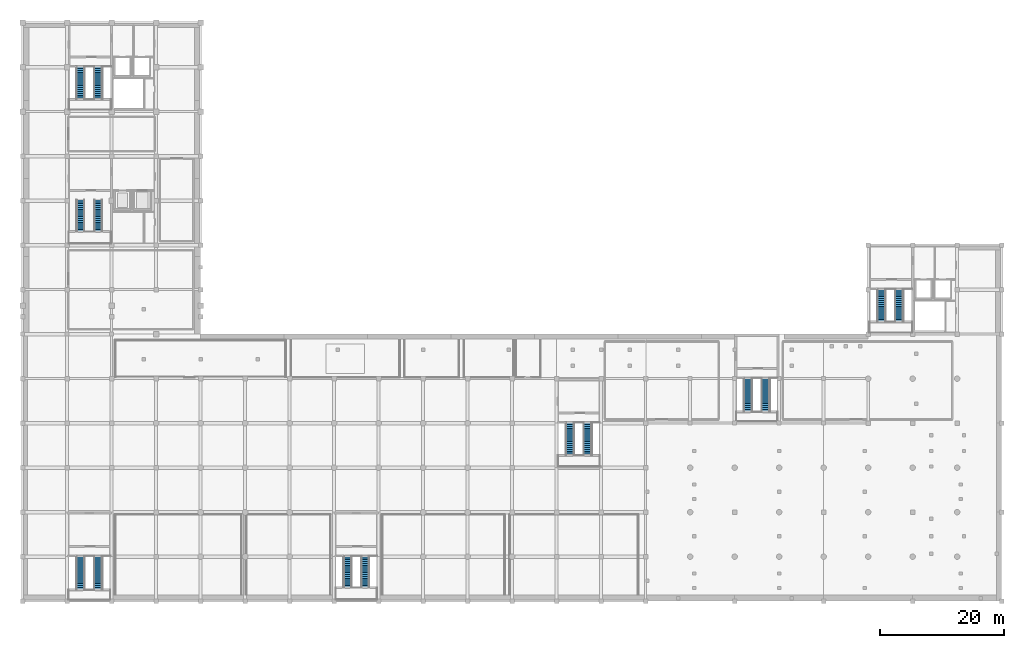
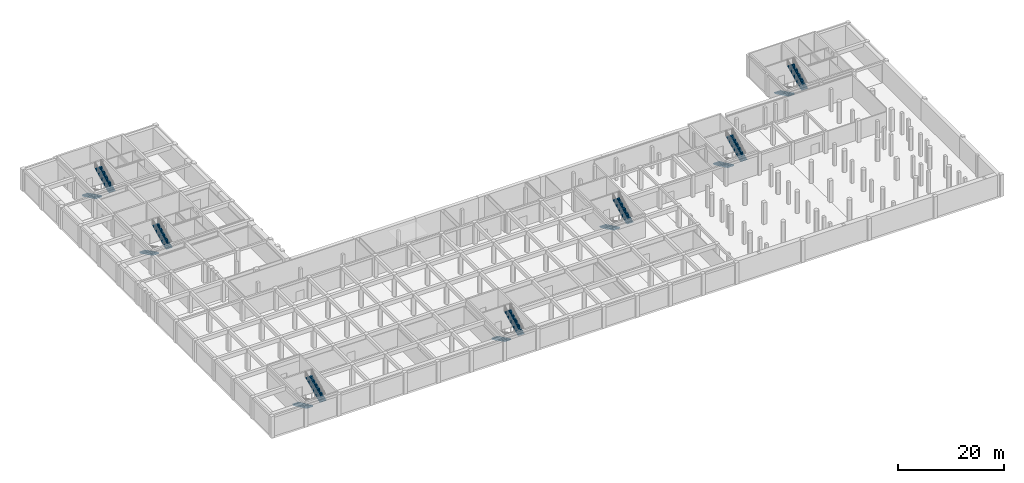
# One storey, part 10 of 15: 14 stair flights, 7 elements without a shape of their own.
"""IFC4 building model written with IfcOpenShell, lengths in metres."""

from ifc_helpers import new_model, si_unit, direction, frame, origin, place, context, subcontext, project, spatial, polyline, outline, extrude, material, layer, layer_set, type_object, element, aggregate, save


model = new_model("IFC4")

# Units and contexts
model_context = context("Model", 3, precision=1e-05, world=origin(), true_north=direction((0.0, 1.0)))
body_context = subcontext(model_context, "Body", "Model", "MODEL_VIEW")
ifc_project = project(units=[si_unit("LENGTHUNIT", "METRE"), si_unit("AREAUNIT", "SQUARE_METRE"), si_unit("VOLUMEUNIT", "CUBIC_METRE"), si_unit("PLANEANGLEUNIT", "RADIAN"), si_unit("MASSUNIT", "GRAM", prefix="KILO")], contexts=[model_context])

# Site, building, storey
site_placement = place(None, origin())
site = spatial("IfcSite", under=ifc_project, at=site_placement, CompositionType="ELEMENT")
building_placement = place(site_placement, origin())
building = spatial("IfcBuilding", under=site, at=building_placement, Name="Leyfeld Transit Interchange", CompositionType="ELEMENT")
storey_placement = place(building_placement, frame((0.0, 0.0, -5.39990234375)))
storey = spatial("IfcBuildingStorey", under=building, at=storey_placement, Name="B01", CompositionType="ELEMENT", Elevation=-5.39990234375)

# Stair, stair flights
ifc_material = material(Name="Precast concrete C40/50", Category="concrete")
stair_type_1 = type_object("IfcStairType", Name="STR-HT-150x300", PredefinedType="HALF_TURN_STAIR", material=ifc_material)
stair_1_placement = place(storey_placement, origin())
stair_1 = element("IfcStair", 1, at=stair_1_placement, inside=storey, type_object=stair_type_1, Name="Exit Stair ST-03 (B01 to L00)", PredefinedType="HALF_TURN_STAIR")
ifc_layer_1 = layer(ifc_material, 0.199951171875, Name="Precast concrete C40/50")
ifc_layer_set_1 = layer_set([ifc_layer_1], Name="Precast concrete C40/50")
stair_flight_type_1 = type_object("IfcStairFlightType", Name="FLT-1350", PredefinedType="STRAIGHT", material=ifc_layer_set_1)
stair_flight_1_placement = place(storey_placement, frame((9.35009765625, 79.300048828125, 0.0), z_axis=(0.0, 0.0, 1.0), x_axis=(0.0, -1.0, 0.0)))
stair_flight_1 = element("IfcStairFlight", 2, at=stair_flight_1_placement, type_object=stair_flight_type_1, Name="Stair ST-03 B01 Flight 1", NumberOfRisers=18, NumberOfTreads=17, PredefinedType="STRAIGHT", RiserHeight=0.15, TreadLength=0.3, context=body_context, shape_type="SweptSolid", body=[
    extrude(outline(polyline([(0.0, 0.0), (0.0, 0.14990234375), (0.300048828125, 0.14990234375), (0.300048828125, 0.300048828125), (0.60009765625, 0.300048828125), (0.60009765625, 0.449951171875), (0.89990234375, 0.449951171875), (0.89990234375, 0.60009765625), (1.199951171875, 0.60009765625), (1.199951171875, 0.75), (1.5, 0.75), (1.5, 0.89990234375), (1.800048828125, 0.89990234375), (1.800048828125, 1.050048828125), (2.10009765625, 1.050048828125), (2.10009765625, 1.199951171875), (2.39990234375, 1.199951171875), (2.39990234375, 1.35009765625), (2.699951171875, 1.35009765625), (2.699951171875, 1.5), (3.0, 1.5), (3.0, 1.64990234375), (3.300048828125, 1.64990234375), (3.300048828125, 1.800048828125), (3.60009765625, 1.800048828125), (3.60009765625, 1.949951171875), (3.89990234375, 1.949951171875), (3.89990234375, 2.10009765625), (4.199951171875, 2.10009765625), (4.199951171875, 2.25), (4.5, 2.25), (4.5, 2.39990234375), (4.800048828125, 2.39990234375), (4.800048828125, 2.550048828125), (5.10009765625, 2.550048828125), (5.10009765625, 2.699951171875), (5.10009765625, 2.326416015625), (0.447021484375, 0.0), (0.0, 0.0)])), frame((0.0, 0.675048828125, 0.0), z_axis=(0.0, -1.0, 0.0), x_axis=(1.0, 0.0, 0.0)), (0.0, 0.0, 1.0), 1.35009765625),
])
stair_flight_2_placement = place(storey_placement, frame((12.25, 74.199951171875, 2.699951171875), z_axis=(0.0, 0.0, 1.0), x_axis=(0.0, 1.0, 0.0)))
stair_flight_2 = element("IfcStairFlight", 3, at=stair_flight_2_placement, type_object=stair_flight_type_1, Name="Stair ST-03 B01 Flight 2", NumberOfRisers=18, NumberOfTreads=17, PredefinedType="STRAIGHT", RiserHeight=0.15, TreadLength=0.3, context=body_context, shape_type="SweptSolid", body=[
    extrude(outline(polyline([(0.0, 0.0), (0.0, 0.14990234375), (0.300048828125, 0.14990234375), (0.300048828125, 0.300048828125), (0.60009765625, 0.300048828125), (0.60009765625, 0.449951171875), (0.89990234375, 0.449951171875), (0.89990234375, 0.60009765625), (1.199951171875, 0.60009765625), (1.199951171875, 0.75), (1.5, 0.75), (1.5, 0.89990234375), (1.800048828125, 0.89990234375), (1.800048828125, 1.050048828125), (2.10009765625, 1.050048828125), (2.10009765625, 1.199951171875), (2.39990234375, 1.199951171875), (2.39990234375, 1.35009765625), (2.699951171875, 1.35009765625), (2.699951171875, 1.5), (3.0, 1.5), (3.0, 1.64990234375), (3.300048828125, 1.64990234375), (3.300048828125, 1.800048828125), (3.60009765625, 1.800048828125), (3.60009765625, 1.949951171875), (3.89990234375, 1.949951171875), (3.89990234375, 2.10009765625), (4.199951171875, 2.10009765625), (4.199951171875, 2.25), (4.5, 2.25), (4.5, 2.39990234375), (4.800048828125, 2.39990234375), (4.800048828125, 2.550048828125), (5.10009765625, 2.550048828125), (5.10009765625, 2.699951171875), (5.10009765625, 2.326416015625), (0.447021484375, 0.0), (0.0, 0.0)])), frame((0.0, 0.675048828125, 0.0), z_axis=(0.0, -1.0, 0.0), x_axis=(1.0, 0.0, 0.0)), (0.0, 0.0, 1.0), 1.35009765625),
])
aggregate(stair_1, [stair_flight_1, stair_flight_2])

stair_2_placement = place(storey_placement, origin())
stair_2 = element("IfcStair", 4, at=stair_2_placement, inside=storey, type_object=stair_type_1, Name="Exit Stair ST-08 (B01 to L00)", PredefinedType="HALF_TURN_STAIR")
stair_flight_3_placement = place(storey_placement, frame((52.550048828125, 21.699951171875, 0.0), z_axis=(0.0, 0.0, 1.0), x_axis=(0.0, -1.0, 0.0)))
stair_flight_3 = element("IfcStairFlight", 5, at=stair_flight_3_placement, type_object=stair_flight_type_1, Name="Stair ST-08 B01 Flight 1", NumberOfRisers=18, NumberOfTreads=17, PredefinedType="STRAIGHT", RiserHeight=0.15, TreadLength=0.3, context=body_context, shape_type="SweptSolid", body=[
    extrude(outline(polyline([(0.0, 0.0), (0.0, 0.14990234375), (0.300048828125, 0.14990234375), (0.300048828125, 0.300048828125), (0.60009765625, 0.300048828125), (0.60009765625, 0.449951171875), (0.89990234375, 0.449951171875), (0.89990234375, 0.60009765625), (1.199951171875, 0.60009765625), (1.199951171875, 0.75), (1.5, 0.75), (1.5, 0.89990234375), (1.800048828125, 0.89990234375), (1.800048828125, 1.050048828125), (2.10009765625, 1.050048828125), (2.10009765625, 1.199951171875), (2.39990234375, 1.199951171875), (2.39990234375, 1.35009765625), (2.699951171875, 1.35009765625), (2.699951171875, 1.5), (3.0, 1.5), (3.0, 1.64990234375), (3.300048828125, 1.64990234375), (3.300048828125, 1.800048828125), (3.60009765625, 1.800048828125), (3.60009765625, 1.949951171875), (3.89990234375, 1.949951171875), (3.89990234375, 2.10009765625), (4.199951171875, 2.10009765625), (4.199951171875, 2.25), (4.5, 2.25), (4.5, 2.39990234375), (4.800048828125, 2.39990234375), (4.800048828125, 2.550048828125), (5.10009765625, 2.550048828125), (5.10009765625, 2.699951171875), (5.10009765625, 2.326416015625), (0.447021484375, 0.0), (0.0, 0.0)])), frame((0.0, 0.675048828125, 0.0), z_axis=(0.0, -1.0, 0.0), x_axis=(1.0, 0.0, 0.0)), (0.0, 0.0, 1.0), 1.35009765625),
])
stair_flight_4_placement = place(storey_placement, frame((55.449951171875, 16.60009765625, 2.699951171875), z_axis=(0.0, 0.0, 1.0), x_axis=(0.0, 1.0, 0.0)))
stair_flight_4 = element("IfcStairFlight", 6, at=stair_flight_4_placement, type_object=stair_flight_type_1, Name="Stair ST-08 B01 Flight 2", NumberOfRisers=18, NumberOfTreads=17, PredefinedType="STRAIGHT", RiserHeight=0.15, TreadLength=0.3, context=body_context, shape_type="SweptSolid", body=[
    extrude(outline(polyline([(0.0, 0.0), (0.0, 0.14990234375), (0.300048828125, 0.14990234375), (0.300048828125, 0.300048828125), (0.60009765625, 0.300048828125), (0.60009765625, 0.449951171875), (0.89990234375, 0.449951171875), (0.89990234375, 0.60009765625), (1.199951171875, 0.60009765625), (1.199951171875, 0.75), (1.5, 0.75), (1.5, 0.89990234375), (1.800048828125, 0.89990234375), (1.800048828125, 1.050048828125), (2.10009765625, 1.050048828125), (2.10009765625, 1.199951171875), (2.39990234375, 1.199951171875), (2.39990234375, 1.35009765625), (2.699951171875, 1.35009765625), (2.699951171875, 1.5), (3.0, 1.5), (3.0, 1.64990234375), (3.300048828125, 1.64990234375), (3.300048828125, 1.800048828125), (3.60009765625, 1.800048828125), (3.60009765625, 1.949951171875), (3.89990234375, 1.949951171875), (3.89990234375, 2.10009765625), (4.199951171875, 2.10009765625), (4.199951171875, 2.25), (4.5, 2.25), (4.5, 2.39990234375), (4.800048828125, 2.39990234375), (4.800048828125, 2.550048828125), (5.10009765625, 2.550048828125), (5.10009765625, 2.699951171875), (5.10009765625, 2.326416015625), (0.447021484375, 0.0), (0.0, 0.0)])), frame((0.0, 0.675048828125, 0.0), z_axis=(0.0, -1.0, 0.0), x_axis=(1.0, 0.0, 0.0)), (0.0, 0.0, 1.0), 1.35009765625),
])
aggregate(stair_2, [stair_flight_3, stair_flight_4])

stair_type_2 = type_object("IfcStairType", Name="STR-HT-150x310", PredefinedType="HALF_TURN_STAIR", material=ifc_material)
stair_3_placement = place(storey_placement, origin())
stair_3 = element("IfcStair", 7, at=stair_3_placement, inside=storey, type_object=stair_type_2, Name="Exit Stair ST-01 (B01 to L00)", PredefinedType="HALF_TURN_STAIR")
ifc_layer_2 = layer(ifc_material, 0.199951171875, Name="Precast concrete C40/50")
ifc_layer_set_2 = layer_set([ifc_layer_2], Name="Precast concrete C40/50")
stair_flight_type_2 = type_object("IfcStairFlightType", Name="FLT-1400", PredefinedType="STRAIGHT", material=ifc_layer_set_2)
stair_flight_5_placement = place(storey_placement, frame((9.35009765625, 100.89990234375, 0.0), z_axis=(0.0, 0.0, 1.0), x_axis=(0.0, -1.0, 0.0)))
stair_flight_5 = element("IfcStairFlight", 8, at=stair_flight_5_placement, type_object=stair_flight_type_2, Name="Stair ST-01 B01 Flight 1", NumberOfRisers=18, NumberOfTreads=17, PredefinedType="STRAIGHT", RiserHeight=0.15, TreadLength=0.31, context=body_context, shape_type="SweptSolid", body=[
    extrude(outline(polyline([(0.0, 0.0), (0.0, 0.14990234375), (0.31005859375, 0.14990234375), (0.31005859375, 0.300048828125), (0.6201171875, 0.300048828125), (0.6201171875, 0.449951171875), (0.929931640625, 0.449951171875), (0.929931640625, 0.60009765625), (1.239990234375, 0.60009765625), (1.239990234375, 0.75), (1.550048828125, 0.75), (1.550048828125, 0.89990234375), (1.860107421875, 0.89990234375), (1.860107421875, 1.050048828125), (2.169921875, 1.050048828125), (2.169921875, 1.199951171875), (2.47998046875, 1.199951171875), (2.47998046875, 1.35009765625), (2.7900390625, 1.35009765625), (2.7900390625, 1.5), (3.10009765625, 1.5), (3.10009765625, 1.64990234375), (3.409912109375, 1.64990234375), (3.409912109375, 1.800048828125), (3.719970703125, 1.800048828125), (3.719970703125, 1.949951171875), (4.030029296875, 1.949951171875), (4.030029296875, 2.10009765625), (4.340087890625, 2.10009765625), (4.340087890625, 2.25), (4.64990234375, 2.25), (4.64990234375, 2.39990234375), (4.9599609375, 2.39990234375), (4.9599609375, 2.550048828125), (5.27001953125, 2.550048828125), (5.27001953125, 2.699951171875), (5.27001953125, 2.327880859375), (0.458984375, 0.0), (0.0, 0.0)])), frame((0.0, 0.699951171875, 0.0), z_axis=(0.0, -1.0, 0.0), x_axis=(1.0, 0.0, 0.0)), (0.0, 0.0, 1.0), 1.39990234375),
])
stair_flight_6_placement = place(storey_placement, frame((12.25, 95.6298828125, 2.699951171875), z_axis=(0.0, 0.0, 1.0), x_axis=(0.0, 1.0, 0.0)))
stair_flight_6 = element("IfcStairFlight", 9, at=stair_flight_6_placement, type_object=stair_flight_type_2, Name="Stair ST-01 B01 Flight 2", NumberOfRisers=18, NumberOfTreads=17, PredefinedType="STRAIGHT", RiserHeight=0.15, TreadLength=0.31, context=body_context, shape_type="SweptSolid", body=[
    extrude(outline(polyline([(0.0, 0.0), (0.0, 0.14990234375), (0.31005859375, 0.14990234375), (0.31005859375, 0.300048828125), (0.6201171875, 0.300048828125), (0.6201171875, 0.449951171875), (0.929931640625, 0.449951171875), (0.929931640625, 0.60009765625), (1.239990234375, 0.60009765625), (1.239990234375, 0.75), (1.550048828125, 0.75), (1.550048828125, 0.89990234375), (1.860107421875, 0.89990234375), (1.860107421875, 1.050048828125), (2.169921875, 1.050048828125), (2.169921875, 1.199951171875), (2.47998046875, 1.199951171875), (2.47998046875, 1.35009765625), (2.7900390625, 1.35009765625), (2.7900390625, 1.5), (3.10009765625, 1.5), (3.10009765625, 1.64990234375), (3.409912109375, 1.64990234375), (3.409912109375, 1.800048828125), (3.719970703125, 1.800048828125), (3.719970703125, 1.949951171875), (4.030029296875, 1.949951171875), (4.030029296875, 2.10009765625), (4.340087890625, 2.10009765625), (4.340087890625, 2.25), (4.64990234375, 2.25), (4.64990234375, 2.39990234375), (4.9599609375, 2.39990234375), (4.9599609375, 2.550048828125), (5.27001953125, 2.550048828125), (5.27001953125, 2.699951171875), (5.27001953125, 2.327880859375), (0.458984375, 0.0), (0.0, 0.0)])), frame((0.0, 0.699951171875, 0.0), z_axis=(0.0, -1.0, 0.0), x_axis=(1.0, 0.0, 0.0)), (0.0, 0.0, 1.0), 1.39990234375),
])
aggregate(stair_3, [stair_flight_5, stair_flight_6])

stair_4_placement = place(storey_placement, origin())
stair_4 = element("IfcStair", 10, at=stair_4_placement, inside=storey, type_object=stair_type_2, Name="Exit Stair ST-04 (B01 to L00)", PredefinedType="HALF_TURN_STAIR")
stair_flight_7_placement = place(storey_placement, frame((138.949951171875, 64.89990234375, 0.0), z_axis=(0.0, 0.0, 1.0), x_axis=(0.0, -1.0, 0.0)))
stair_flight_7 = element("IfcStairFlight", 11, at=stair_flight_7_placement, type_object=stair_flight_type_2, Name="Stair ST-04 B01 Flight 1", NumberOfRisers=18, NumberOfTreads=17, PredefinedType="STRAIGHT", RiserHeight=0.15, TreadLength=0.31, context=body_context, shape_type="SweptSolid", body=[
    extrude(outline(polyline([(0.0, 0.0), (0.0, 0.14990234375), (0.31005859375, 0.14990234375), (0.31005859375, 0.300048828125), (0.6201171875, 0.300048828125), (0.6201171875, 0.449951171875), (0.929931640625, 0.449951171875), (0.929931640625, 0.60009765625), (1.239990234375, 0.60009765625), (1.239990234375, 0.75), (1.550048828125, 0.75), (1.550048828125, 0.89990234375), (1.860107421875, 0.89990234375), (1.860107421875, 1.050048828125), (2.169921875, 1.050048828125), (2.169921875, 1.199951171875), (2.47998046875, 1.199951171875), (2.47998046875, 1.35009765625), (2.7900390625, 1.35009765625), (2.7900390625, 1.5), (3.10009765625, 1.5), (3.10009765625, 1.64990234375), (3.409912109375, 1.64990234375), (3.409912109375, 1.800048828125), (3.719970703125, 1.800048828125), (3.719970703125, 1.949951171875), (4.030029296875, 1.949951171875), (4.030029296875, 2.10009765625), (4.340087890625, 2.10009765625), (4.340087890625, 2.25), (4.64990234375, 2.25), (4.64990234375, 2.39990234375), (4.9599609375, 2.39990234375), (4.9599609375, 2.550048828125), (5.27001953125, 2.550048828125), (5.27001953125, 2.699951171875), (5.27001953125, 2.327880859375), (0.458984375, 0.0), (0.0, 0.0)])), frame((0.0, 0.699951171875, 0.0), z_axis=(0.0, -1.0, 0.0), x_axis=(1.0, 0.0, 0.0)), (0.0, 0.0, 1.0), 1.39990234375),
])
stair_flight_8_placement = place(storey_placement, frame((141.85009765625, 59.6298828125, 2.699951171875), z_axis=(0.0, 0.0, 1.0), x_axis=(0.0, 1.0, 0.0)))
stair_flight_8 = element("IfcStairFlight", 12, at=stair_flight_8_placement, type_object=stair_flight_type_2, Name="Stair ST-04 B01 Flight 2", NumberOfRisers=18, NumberOfTreads=17, PredefinedType="STRAIGHT", RiserHeight=0.15, TreadLength=0.31, context=body_context, shape_type="SweptSolid", body=[
    extrude(outline(polyline([(0.0, 0.0), (0.0, 0.14990234375), (0.31005859375, 0.14990234375), (0.31005859375, 0.300048828125), (0.6201171875, 0.300048828125), (0.6201171875, 0.449951171875), (0.929931640625, 0.449951171875), (0.929931640625, 0.60009765625), (1.239990234375, 0.60009765625), (1.239990234375, 0.75), (1.550048828125, 0.75), (1.550048828125, 0.89990234375), (1.860107421875, 0.89990234375), (1.860107421875, 1.050048828125), (2.169921875, 1.050048828125), (2.169921875, 1.199951171875), (2.47998046875, 1.199951171875), (2.47998046875, 1.35009765625), (2.7900390625, 1.35009765625), (2.7900390625, 1.5), (3.10009765625, 1.5), (3.10009765625, 1.64990234375), (3.409912109375, 1.64990234375), (3.409912109375, 1.800048828125), (3.719970703125, 1.800048828125), (3.719970703125, 1.949951171875), (4.030029296875, 1.949951171875), (4.030029296875, 2.10009765625), (4.340087890625, 2.10009765625), (4.340087890625, 2.25), (4.64990234375, 2.25), (4.64990234375, 2.39990234375), (4.9599609375, 2.39990234375), (4.9599609375, 2.550048828125), (5.27001953125, 2.550048828125), (5.27001953125, 2.699951171875), (5.27001953125, 2.327880859375), (0.458984375, 0.0), (0.0, 0.0)])), frame((0.0, 0.699951171875, 0.0), z_axis=(0.0, -1.0, 0.0), x_axis=(1.0, 0.0, 0.0)), (0.0, 0.0, 1.0), 1.39990234375),
])
aggregate(stair_4, [stair_flight_7, stair_flight_8])

stair_type_3 = type_object("IfcStairType", Name="STR-HT-150x320", PredefinedType="HALF_TURN_STAIR", material=ifc_material)
stair_5_placement = place(storey_placement, origin())
stair_5 = element("IfcStair", 13, at=stair_5_placement, inside=storey, type_object=stair_type_3, Name="Exit Stair ST-06 (B01 to L00)", PredefinedType="HALF_TURN_STAIR")
stair_flight_9_placement = place(storey_placement, frame((9.35009765625, 21.699951171875, 0.0), z_axis=(0.0, 0.0, 1.0), x_axis=(0.0, -1.0, 0.0)))
stair_flight_9 = element("IfcStairFlight", 14, at=stair_flight_9_placement, type_object=stair_flight_type_2, Name="Stair ST-06 B01 Flight 1", NumberOfRisers=18, NumberOfTreads=17, PredefinedType="STRAIGHT", RiserHeight=0.15, TreadLength=0.32, context=body_context, shape_type="SweptSolid", body=[
    extrude(outline(polyline([(0.0, 0.0), (0.0, 0.14990234375), (0.320068359375, 0.14990234375), (0.320068359375, 0.300048828125), (0.639892578125, 0.300048828125), (0.639892578125, 0.449951171875), (0.9599609375, 0.449951171875), (0.9599609375, 0.60009765625), (1.280029296875, 0.60009765625), (1.280029296875, 0.75), (1.60009765625, 0.75), (1.60009765625, 0.89990234375), (1.919921875, 0.89990234375), (1.919921875, 1.050048828125), (2.239990234375, 1.050048828125), (2.239990234375, 1.199951171875), (2.56005859375, 1.199951171875), (2.56005859375, 1.35009765625), (2.8798828125, 1.35009765625), (2.8798828125, 1.5), (3.199951171875, 1.5), (3.199951171875, 1.64990234375), (3.52001953125, 1.64990234375), (3.52001953125, 1.800048828125), (3.840087890625, 1.800048828125), (3.840087890625, 1.949951171875), (4.159912109375, 1.949951171875), (4.159912109375, 2.10009765625), (4.47998046875, 2.10009765625), (4.47998046875, 2.25), (4.800048828125, 2.25), (4.800048828125, 2.39990234375), (5.1201171875, 2.39990234375), (5.1201171875, 2.550048828125), (5.43994140625, 2.550048828125), (5.43994140625, 2.699951171875), (5.43994140625, 2.3291015625), (0.47119140625, 0.0), (0.0, 0.0)])), frame((0.0, 0.699951171875, 0.0), z_axis=(0.0, -1.0, 0.0), x_axis=(1.0, 0.0, 0.0)), (0.0, 0.0, 1.0), 1.39990234375),
])
stair_flight_10_placement = place(storey_placement, frame((12.25, 16.260009765625, 2.699951171875), z_axis=(0.0, 0.0, 1.0), x_axis=(0.0, 1.0, 0.0)))
stair_flight_10 = element("IfcStairFlight", 15, at=stair_flight_10_placement, type_object=stair_flight_type_2, Name="Stair ST-06 B01 Flight 2", NumberOfRisers=18, NumberOfTreads=17, PredefinedType="STRAIGHT", RiserHeight=0.15, TreadLength=0.32, context=body_context, shape_type="SweptSolid", body=[
    extrude(outline(polyline([(0.0, 0.0), (0.0, 0.14990234375), (0.320068359375, 0.14990234375), (0.320068359375, 0.300048828125), (0.639892578125, 0.300048828125), (0.639892578125, 0.449951171875), (0.9599609375, 0.449951171875), (0.9599609375, 0.60009765625), (1.280029296875, 0.60009765625), (1.280029296875, 0.75), (1.60009765625, 0.75), (1.60009765625, 0.89990234375), (1.919921875, 0.89990234375), (1.919921875, 1.050048828125), (2.239990234375, 1.050048828125), (2.239990234375, 1.199951171875), (2.56005859375, 1.199951171875), (2.56005859375, 1.35009765625), (2.8798828125, 1.35009765625), (2.8798828125, 1.5), (3.199951171875, 1.5), (3.199951171875, 1.64990234375), (3.52001953125, 1.64990234375), (3.52001953125, 1.800048828125), (3.840087890625, 1.800048828125), (3.840087890625, 1.949951171875), (4.159912109375, 1.949951171875), (4.159912109375, 2.10009765625), (4.47998046875, 2.10009765625), (4.47998046875, 2.25), (4.800048828125, 2.25), (4.800048828125, 2.39990234375), (5.1201171875, 2.39990234375), (5.1201171875, 2.550048828125), (5.43994140625, 2.550048828125), (5.43994140625, 2.699951171875), (5.43994140625, 2.3291015625), (0.47119140625, 0.0), (0.0, 0.0)])), frame((0.0, 0.699951171875, 0.0), z_axis=(0.0, -1.0, 0.0), x_axis=(1.0, 0.0, 0.0)), (0.0, 0.0, 1.0), 1.39990234375),
])
aggregate(stair_5, [stair_flight_9, stair_flight_10])

stair_6_placement = place(storey_placement, origin())
stair_6 = element("IfcStair", 16, at=stair_6_placement, inside=storey, type_object=stair_type_2, Name="Exit Stair ST-07 (B01 to L00)", PredefinedType="HALF_TURN_STAIR")
stair_flight_11_placement = place(storey_placement, frame((88.550048828125, 43.300048828125, 0.0), z_axis=(0.0, 0.0, 1.0), x_axis=(0.0, -1.0, 0.0)))
stair_flight_11 = element("IfcStairFlight", 17, at=stair_flight_11_placement, type_object=stair_flight_type_2, Name="Stair ST-07 B01 Flight 1", NumberOfRisers=18, NumberOfTreads=17, PredefinedType="STRAIGHT", RiserHeight=0.15, TreadLength=0.31, context=body_context, shape_type="SweptSolid", body=[
    extrude(outline(polyline([(0.0, 0.0), (0.0, 0.14990234375), (0.31005859375, 0.14990234375), (0.31005859375, 0.300048828125), (0.6201171875, 0.300048828125), (0.6201171875, 0.449951171875), (0.929931640625, 0.449951171875), (0.929931640625, 0.60009765625), (1.239990234375, 0.60009765625), (1.239990234375, 0.75), (1.550048828125, 0.75), (1.550048828125, 0.89990234375), (1.860107421875, 0.89990234375), (1.860107421875, 1.050048828125), (2.169921875, 1.050048828125), (2.169921875, 1.199951171875), (2.47998046875, 1.199951171875), (2.47998046875, 1.35009765625), (2.7900390625, 1.35009765625), (2.7900390625, 1.5), (3.10009765625, 1.5), (3.10009765625, 1.64990234375), (3.409912109375, 1.64990234375), (3.409912109375, 1.800048828125), (3.719970703125, 1.800048828125), (3.719970703125, 1.949951171875), (4.030029296875, 1.949951171875), (4.030029296875, 2.10009765625), (4.340087890625, 2.10009765625), (4.340087890625, 2.25), (4.64990234375, 2.25), (4.64990234375, 2.39990234375), (4.9599609375, 2.39990234375), (4.9599609375, 2.550048828125), (5.27001953125, 2.550048828125), (5.27001953125, 2.699951171875), (5.27001953125, 2.327880859375), (0.458984375, 0.0), (0.0, 0.0)])), frame((0.0, 0.699951171875, 0.0), z_axis=(0.0, -1.0, 0.0), x_axis=(1.0, 0.0, 0.0)), (0.0, 0.0, 1.0), 1.39990234375),
])
stair_flight_12_placement = place(storey_placement, frame((91.449951171875, 38.030029296875, 2.699951171875), z_axis=(0.0, 0.0, 1.0), x_axis=(0.0, 1.0, 0.0)))
stair_flight_12 = element("IfcStairFlight", 18, at=stair_flight_12_placement, type_object=stair_flight_type_2, Name="Stair ST-07 B01 Flight 2", NumberOfRisers=18, NumberOfTreads=17, PredefinedType="STRAIGHT", RiserHeight=0.15, TreadLength=0.31, context=body_context, shape_type="SweptSolid", body=[
    extrude(outline(polyline([(0.0, 0.0), (0.0, 0.14990234375), (0.31005859375, 0.14990234375), (0.31005859375, 0.300048828125), (0.6201171875, 0.300048828125), (0.6201171875, 0.449951171875), (0.929931640625, 0.449951171875), (0.929931640625, 0.60009765625), (1.239990234375, 0.60009765625), (1.239990234375, 0.75), (1.550048828125, 0.75), (1.550048828125, 0.89990234375), (1.860107421875, 0.89990234375), (1.860107421875, 1.050048828125), (2.169921875, 1.050048828125), (2.169921875, 1.199951171875), (2.47998046875, 1.199951171875), (2.47998046875, 1.35009765625), (2.7900390625, 1.35009765625), (2.7900390625, 1.5), (3.10009765625, 1.5), (3.10009765625, 1.64990234375), (3.409912109375, 1.64990234375), (3.409912109375, 1.800048828125), (3.719970703125, 1.800048828125), (3.719970703125, 1.949951171875), (4.030029296875, 1.949951171875), (4.030029296875, 2.10009765625), (4.340087890625, 2.10009765625), (4.340087890625, 2.25), (4.64990234375, 2.25), (4.64990234375, 2.39990234375), (4.9599609375, 2.39990234375), (4.9599609375, 2.550048828125), (5.27001953125, 2.550048828125), (5.27001953125, 2.699951171875), (5.27001953125, 2.327880859375), (0.458984375, 0.0), (0.0, 0.0)])), frame((0.0, 0.699951171875, 0.0), z_axis=(0.0, -1.0, 0.0), x_axis=(1.0, 0.0, 0.0)), (0.0, 0.0, 1.0), 1.39990234375),
])
aggregate(stair_6, [stair_flight_11, stair_flight_12])

stair_7_placement = place(storey_placement, origin())
stair_7 = element("IfcStair", 19, at=stair_7_placement, inside=storey, type_object=stair_type_3, Name="Exit Stair ST-09 (B01 to L00)", PredefinedType="HALF_TURN_STAIR")
stair_flight_13_placement = place(storey_placement, frame((117.35009765625, 50.5, 0.0), z_axis=(0.0, 0.0, 1.0), x_axis=(0.0, -1.0, 0.0)))
stair_flight_13 = element("IfcStairFlight", 20, at=stair_flight_13_placement, type_object=stair_flight_type_2, Name="Stair ST-09 B01 Flight 1", NumberOfRisers=18, NumberOfTreads=17, PredefinedType="STRAIGHT", RiserHeight=0.15, TreadLength=0.32, context=body_context, shape_type="SweptSolid", body=[
    extrude(outline(polyline([(0.0, 0.0), (0.0, 0.14990234375), (0.320068359375, 0.14990234375), (0.320068359375, 0.300048828125), (0.639892578125, 0.300048828125), (0.639892578125, 0.449951171875), (0.9599609375, 0.449951171875), (0.9599609375, 0.60009765625), (1.280029296875, 0.60009765625), (1.280029296875, 0.75), (1.60009765625, 0.75), (1.60009765625, 0.89990234375), (1.919921875, 0.89990234375), (1.919921875, 1.050048828125), (2.239990234375, 1.050048828125), (2.239990234375, 1.199951171875), (2.56005859375, 1.199951171875), (2.56005859375, 1.35009765625), (2.8798828125, 1.35009765625), (2.8798828125, 1.5), (3.199951171875, 1.5), (3.199951171875, 1.64990234375), (3.52001953125, 1.64990234375), (3.52001953125, 1.800048828125), (3.840087890625, 1.800048828125), (3.840087890625, 1.949951171875), (4.159912109375, 1.949951171875), (4.159912109375, 2.10009765625), (4.47998046875, 2.10009765625), (4.47998046875, 2.25), (4.800048828125, 2.25), (4.800048828125, 2.39990234375), (5.1201171875, 2.39990234375), (5.1201171875, 2.550048828125), (5.43994140625, 2.550048828125), (5.43994140625, 2.699951171875), (5.43994140625, 2.3291015625), (0.47119140625, 0.0), (0.0, 0.0)])), frame((0.0, 0.699951171875, 0.0), z_axis=(0.0, -1.0, 0.0), x_axis=(1.0, 0.0, 0.0)), (0.0, 0.0, 1.0), 1.39990234375),
])
stair_flight_14_placement = place(storey_placement, frame((120.25, 45.06005859375, 2.699951171875), z_axis=(0.0, 0.0, 1.0), x_axis=(0.0, 1.0, 0.0)))
stair_flight_14 = element("IfcStairFlight", 21, at=stair_flight_14_placement, type_object=stair_flight_type_2, Name="Stair ST-09 B01 Flight 2", NumberOfRisers=18, NumberOfTreads=17, PredefinedType="STRAIGHT", RiserHeight=0.15, TreadLength=0.32, context=body_context, shape_type="SweptSolid", body=[
    extrude(outline(polyline([(0.0, 0.0), (0.0, 0.14990234375), (0.320068359375, 0.14990234375), (0.320068359375, 0.300048828125), (0.639892578125, 0.300048828125), (0.639892578125, 0.449951171875), (0.9599609375, 0.449951171875), (0.9599609375, 0.60009765625), (1.280029296875, 0.60009765625), (1.280029296875, 0.75), (1.60009765625, 0.75), (1.60009765625, 0.89990234375), (1.919921875, 0.89990234375), (1.919921875, 1.050048828125), (2.239990234375, 1.050048828125), (2.239990234375, 1.199951171875), (2.56005859375, 1.199951171875), (2.56005859375, 1.35009765625), (2.8798828125, 1.35009765625), (2.8798828125, 1.5), (3.199951171875, 1.5), (3.199951171875, 1.64990234375), (3.52001953125, 1.64990234375), (3.52001953125, 1.800048828125), (3.840087890625, 1.800048828125), (3.840087890625, 1.949951171875), (4.159912109375, 1.949951171875), (4.159912109375, 2.10009765625), (4.47998046875, 2.10009765625), (4.47998046875, 2.25), (4.800048828125, 2.25), (4.800048828125, 2.39990234375), (5.1201171875, 2.39990234375), (5.1201171875, 2.550048828125), (5.43994140625, 2.550048828125), (5.43994140625, 2.699951171875), (5.43994140625, 2.3291015625), (0.47119140625, 0.0), (0.0, 0.0)])), frame((0.0, 0.699951171875, 0.0), z_axis=(0.0, -1.0, 0.0), x_axis=(1.0, 0.0, 0.0)), (0.0, 0.0, 1.0), 1.39990234375),
])
aggregate(stair_7, [stair_flight_13, stair_flight_14])

save(model, "model.ifc")
